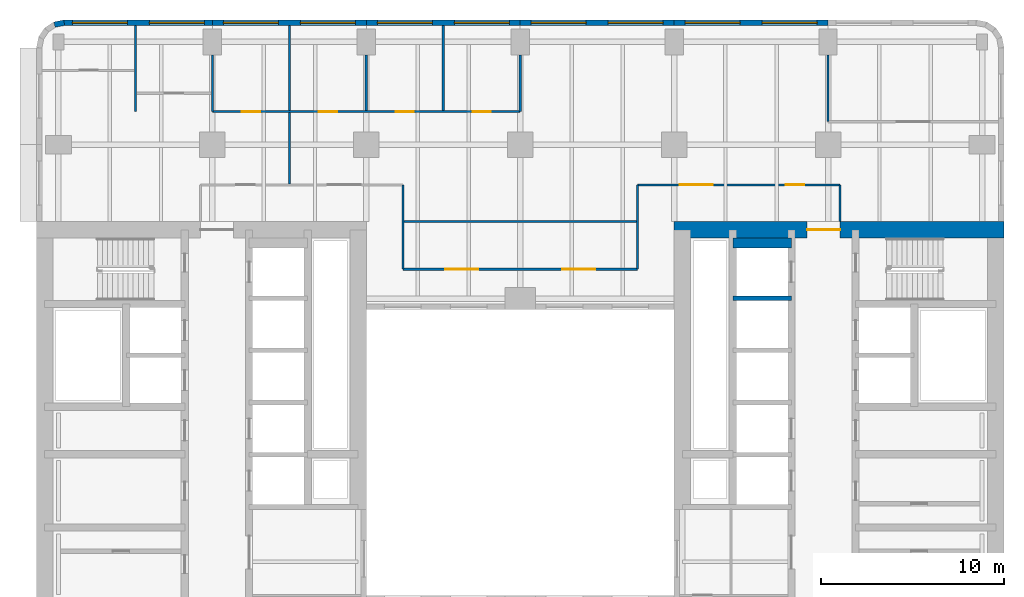
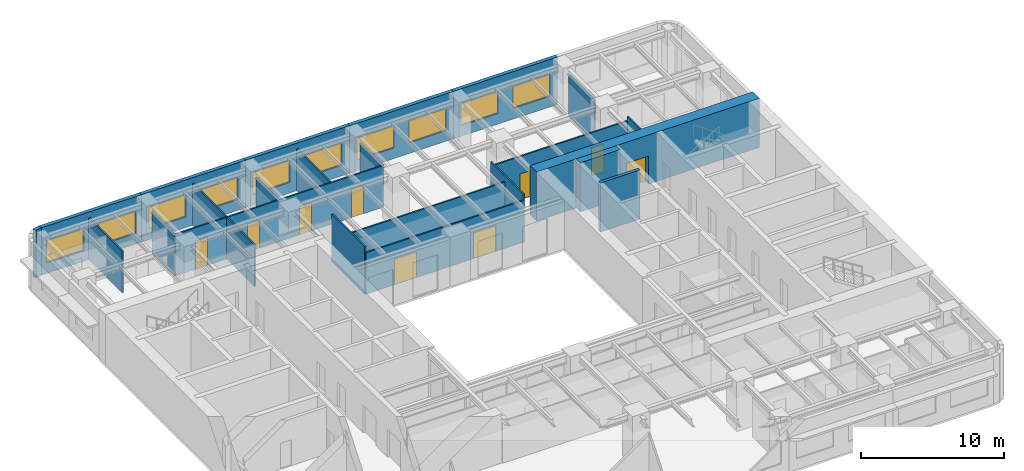
# One storey, part 7 of 11: 24 walls, 10 windows, 9 doors, 19 openings.
"""IFC4 building model written with IfcOpenShell, lengths in metres."""

from ifc_helpers import new_model, si_unit, direction, frame, frame_2d, origin, place, context, subcontext, project, spatial, rectangle, extrude, material, layer, layer_set, type_object, element, fill, save


model = new_model("IFC4")

# Units and contexts
model_context = context("Model", 3, precision=1e-05, world=origin(), true_north=direction((0.0, 1.0)))
body_context = subcontext(model_context, "Body", "Model", "MODEL_VIEW")
ifc_project = project(units=[si_unit("LENGTHUNIT", "METRE"), si_unit("AREAUNIT", "SQUARE_METRE"), si_unit("VOLUMEUNIT", "CUBIC_METRE"), si_unit("PLANEANGLEUNIT", "RADIAN"), si_unit("MASSUNIT", "GRAM", prefix="KILO")], contexts=[model_context])

# Site, building, storey
site_placement = place(None, origin())
site = spatial("IfcSite", under=ifc_project, at=site_placement, CompositionType="ELEMENT")
building_placement = place(site_placement, origin())
building = spatial("IfcBuilding", under=site, at=building_placement, Name="Claustro Exchange Tower", CompositionType="ELEMENT")
storey_placement = place(building_placement, frame((0.0, 0.0, 126.0)))
storey = spatial("IfcBuildingStorey", under=building, at=storey_placement, Name="L28", CompositionType="ELEMENT", Elevation=126.0)

# Wall, openings, doors
ifc_material_1 = material(Name="Laminated glass in aluminium frame", Category="aluminium")
ifc_layer_1 = layer(ifc_material_1, 0.1201171875)
ifc_layer_set_1 = layer_set([ifc_layer_1], Name="Laminated glass in aluminium frame")
wall_type_1 = type_object("IfcWallType", Name="P2 120 glazed partition", PredefinedType="PARTITIONING", material=ifc_layer_set_1)
wall_1_placement = place(storey_placement, frame((8.39990234375, 43.800048828125, 0.0), z_axis=(0.0, 0.0, 1.0), x_axis=(1.0, 0.0, 0.0)))
wall_1 = element("IfcWall", 1, at=wall_1_placement, inside=storey, type_object=wall_type_1, Name="Partition P2 L28", PredefinedType="PARTITIONING", context=body_context, shape_type="SweptSolid", body=[
    extrude(rectangle(XDim=16.800048828125, YDim=0.1201171875, at=frame_2d((8.39990234375, 0.0))), origin(), (0.0, 0.0, 1.0), 3.550048828125),
])
opening_1_placement = place(wall_1_placement, frame((1.60009765625, 0.0, 0.0)))
opening_1 = element("IfcOpeningElement", 2, at=opening_1_placement, cuts=wall_1, Name="Opening D7", PredefinedType="OPENING", context=body_context, shape_type="SweptSolid", body=[
    extrude(rectangle(XDim=1.0, YDim=2.39990234375, at=frame_2d((0.5, 1.199951171875))), frame((0.0, 0.070068359375, 0.0), z_axis=(0.0, -1.0, 0.0), x_axis=(1.0, 0.0, 0.0)), (0.0, 0.0, 1.0), 0.14013671875),
])
opening_2_placement = place(wall_1_placement, frame((5.800048828125, 0.0, 0.0)))
opening_2 = element("IfcOpeningElement", 3, at=opening_2_placement, cuts=wall_1, Name="Opening D7", PredefinedType="OPENING", context=body_context, shape_type="SweptSolid", body=[
    extrude(rectangle(XDim=1.0, YDim=2.39990234375, at=frame_2d((0.5, 1.199951171875))), frame((0.0, 0.070068359375, 0.0), z_axis=(0.0, -1.0, 0.0), x_axis=(1.0, 0.0, 0.0)), (0.0, 0.0, 1.0), 0.14013671875),
])
opening_3_placement = place(wall_1_placement, frame((10.0, 0.0, 0.0)))
opening_3 = element("IfcOpeningElement", 4, at=opening_3_placement, cuts=wall_1, Name="Opening D7", PredefinedType="OPENING", context=body_context, shape_type="SweptSolid", body=[
    extrude(rectangle(XDim=1.0, YDim=2.39990234375, at=frame_2d((0.5, 1.199951171875))), frame((0.0, 0.070068359375, 0.0), z_axis=(0.0, -1.0, 0.0), x_axis=(1.0, 0.0, 0.0)), (0.0, 0.0, 1.0), 0.14013671875),
])
opening_4_placement = place(wall_1_placement, frame((14.199951171875, 0.0, 0.0)))
opening_4 = element("IfcOpeningElement", 5, at=opening_4_placement, cuts=wall_1, Name="Opening D7", PredefinedType="OPENING", context=body_context, shape_type="SweptSolid", body=[
    extrude(rectangle(XDim=1.0, YDim=2.39990234375, at=frame_2d((0.5, 1.199951171875))), frame((0.0, 0.070068359375, 0.0), z_axis=(0.0, -1.0, 0.0), x_axis=(1.0, 0.0, 0.0)), (0.0, 0.0, 1.0), 0.14013671875),
])
ifc_material_2 = material(Name="Glass door in aluminium frame", Category="aluminium")
door_type_1 = type_object("IfcDoorType", Name="D7 1000 x 2400 glazed door", OperationType="SINGLE_SWING_LEFT", PredefinedType="DOOR", material=ifc_material_2)
door_1_placement = place(opening_1_placement, origin())
door_1 = element("IfcDoor", 6, at=door_1_placement, inside=storey, type_object=door_type_1, Name="Door D7 L28", OperationType="SINGLE_SWING_RIGHT", OverallHeight=2.39990234375, OverallWidth=1.0, PredefinedType="DOOR", context=body_context, shape_type="SweptSolid", body=[
    extrude(rectangle(XDim=1.0, YDim=2.39990234375, at=frame_2d((0.5, 1.199951171875))), frame((0.0, 0.02490234375, 0.0), z_axis=(0.0, -1.0, 0.0), x_axis=(1.0, 0.0, 0.0)), (0.0, 0.0, 1.0), 0.050048828125),
])
fill(opening_1, door_1)
door_2_placement = place(opening_2_placement, origin())
door_2 = element("IfcDoor", 7, at=door_2_placement, inside=storey, type_object=door_type_1, Name="Door D7 L28", OperationType="SINGLE_SWING_LEFT", OverallHeight=2.39990234375, OverallWidth=1.0, PredefinedType="DOOR", context=body_context, shape_type="SweptSolid", body=[
    extrude(rectangle(XDim=1.0, YDim=2.39990234375, at=frame_2d((0.5, 1.199951171875))), frame((0.0, 0.02490234375, 0.0), z_axis=(0.0, -1.0, 0.0), x_axis=(1.0, 0.0, 0.0)), (0.0, 0.0, 1.0), 0.050048828125),
])
fill(opening_2, door_2)
door_3_placement = place(opening_3_placement, origin())
door_3 = element("IfcDoor", 8, at=door_3_placement, inside=storey, type_object=door_type_1, Name="Door D7 L28", OperationType="SINGLE_SWING_LEFT", OverallHeight=2.39990234375, OverallWidth=1.0, PredefinedType="DOOR", context=body_context, shape_type="SweptSolid", body=[
    extrude(rectangle(XDim=1.0, YDim=2.39990234375, at=frame_2d((0.5, 1.199951171875))), frame((0.0, 0.02490234375, 0.0), z_axis=(0.0, -1.0, 0.0), x_axis=(1.0, 0.0, 0.0)), (0.0, 0.0, 1.0), 0.050048828125),
])
fill(opening_3, door_3)
door_4_placement = place(opening_4_placement, origin())
door_4 = element("IfcDoor", 9, at=door_4_placement, inside=storey, type_object=door_type_1, Name="Door D7 L28", OperationType="SINGLE_SWING_RIGHT", OverallHeight=2.39990234375, OverallWidth=1.0, PredefinedType="DOOR", context=body_context, shape_type="SweptSolid", body=[
    extrude(rectangle(XDim=1.0, YDim=2.39990234375, at=frame_2d((0.5, 1.199951171875))), frame((0.0, 0.02490234375, 0.0), z_axis=(0.0, -1.0, 0.0), x_axis=(1.0, 0.0, 0.0)), (0.0, 0.0, 1.0), 0.050048828125),
])
fill(opening_4, door_4)

# Walls
wall_2_placement = place(storey_placement, frame((4.199951171875, 43.800048828125, 0.0), z_axis=(0.0, 0.0, 1.0), x_axis=(0.0, 1.0, 0.0)))
element("IfcWall", 10, at=wall_2_placement, inside=storey, type_object=wall_type_1, Name="Partition P2 L28", PredefinedType="PARTITIONING", context=body_context, shape_type="SweptSolid", body=[
    extrude(rectangle(XDim=4.701904296875, YDim=0.1201171875, at=frame_2d((2.35107421875, 0.0))), origin(), (0.0, 0.0, 1.0), 3.56005859375),
])
wall_3_placement = place(storey_placement, frame((8.39990234375, 43.800048828125, 0.0), z_axis=(0.0, 0.0, 1.0), x_axis=(0.0, 1.0, 0.0)))
element("IfcWall", 11, at=wall_3_placement, inside=storey, type_object=wall_type_1, Name="Partition P2 L28", PredefinedType="PARTITIONING", context=body_context, shape_type="SweptSolid", body=[
    extrude(rectangle(XDim=3.100830078125, YDim=0.1201171875, at=frame_2d((1.55029296875, 0.0))), origin(), (0.0, 0.0, 1.0), 3.550048828125),
])
wall_4_placement = place(storey_placement, frame((12.60009765625, 43.85791015625, 0.0), z_axis=(0.0, 0.0, 1.0), x_axis=(0.0, 1.0, 0.0)))
element("IfcWall", 12, at=wall_4_placement, inside=storey, type_object=wall_type_1, Name="Partition P2 L28", PredefinedType="PARTITIONING", context=body_context, shape_type="SweptSolid", body=[
    extrude(rectangle(XDim=4.64404296875, YDim=0.1201171875, at=frame_2d((2.322021484375, 0.0))), origin(), (0.0, 0.0, 1.0), 3.56005859375),
])
wall_5_placement = place(storey_placement, frame((16.800048828125, 43.85791015625, 0.0), z_axis=(0.0, 0.0, 1.0), x_axis=(0.0, 1.0, 0.0)))
element("IfcWall", 13, at=wall_5_placement, inside=storey, type_object=wall_type_1, Name="Partition P2 L28", PredefinedType="PARTITIONING", context=body_context, shape_type="SweptSolid", body=[
    extrude(rectangle(XDim=3.04296875, YDim=0.1201171875, at=frame_2d((1.521484375, 0.0))), origin(), (0.0, 0.0, 1.0), 3.550048828125),
])
wall_6_placement = place(storey_placement, frame((21.0, 43.85791015625, 0.0), z_axis=(0.0, 0.0, 1.0), x_axis=(0.0, 1.0, 0.0)))
element("IfcWall", 14, at=wall_6_placement, inside=storey, type_object=wall_type_1, Name="Partition P2 L28", PredefinedType="PARTITIONING", context=body_context, shape_type="SweptSolid", body=[
    extrude(rectangle(XDim=4.64404296875, YDim=0.1201171875, at=frame_2d((2.322021484375, 0.0))), origin(), (0.0, 0.0, 1.0), 3.56005859375),
])
wall_7_placement = place(storey_placement, frame((25.199951171875, 43.800048828125, 0.0), z_axis=(0.0, 0.0, 1.0), x_axis=(0.0, 1.0, 0.0)))
element("IfcWall", 15, at=wall_7_placement, inside=storey, type_object=wall_type_1, Name="Partition P2 L28", PredefinedType="PARTITIONING", context=body_context, shape_type="SweptSolid", body=[
    extrude(rectangle(XDim=3.100830078125, YDim=0.1201171875, at=frame_2d((1.55029296875, 0.0))), origin(), (0.0, 0.0, 1.0), 3.550048828125),
])
wall_8_placement = place(storey_placement, frame((42.0, 43.25, 0.0), z_axis=(0.0, 0.0, 1.0), x_axis=(0.0, 1.0, 0.0)))
element("IfcWall", 16, at=wall_8_placement, inside=storey, type_object=wall_type_1, Name="Partition P2 L28", PredefinedType="PARTITIONING", context=body_context, shape_type="SweptSolid", body=[
    extrude(rectangle(XDim=3.65087890625, YDim=0.1201171875, at=frame_2d((1.825439453125, 0.0))), origin(), (0.0, 0.0, 1.0), 3.550048828125),
])
wall_9_placement = place(storey_placement, frame((12.60009765625, 39.85791015625, 0.0), z_axis=(0.0, 0.0, 1.0), x_axis=(0.0, 1.0, 0.0)))
element("IfcWall", 17, at=wall_9_placement, inside=storey, type_object=wall_type_1, Name="Partition P2 L28", PredefinedType="PARTITIONING", context=body_context, shape_type="SweptSolid", body=[
    extrude(rectangle(XDim=3.884033203125, YDim=0.1201171875, at=frame_2d((1.94189453125, 0.0))), origin(), (0.0, 0.0, 1.0), 3.550048828125),
])

# Wall, openings, doors
wall_10_placement = place(storey_placement, frame((31.60009765625, 39.800048828125, 0.0), z_axis=(0.0, 0.0, 1.0), x_axis=(1.0, 0.0, 0.0)))
wall_10 = element("IfcWall", 18, at=wall_10_placement, inside=storey, type_object=wall_type_1, Name="Partition P2 L28", PredefinedType="PARTITIONING", context=body_context, shape_type="SweptSolid", body=[
    extrude(rectangle(XDim=11.0498046875, YDim=0.1201171875, at=frame_2d((5.52490234375, 0.0))), origin(), (0.0, 0.0, 1.0), 3.68994140625),
])
opening_5_placement = place(wall_10_placement, frame((2.300048828125, 0.0, 0.0)))
opening_5 = element("IfcOpeningElement", 19, at=opening_5_placement, cuts=wall_10, Name="Opening D2", PredefinedType="OPENING", context=body_context, shape_type="SweptSolid", body=[
    extrude(rectangle(XDim=1.800048828125, YDim=2.199951171875, at=frame_2d((0.89990234375, 1.10009765625))), frame((0.0, 0.070068359375, 0.0), z_axis=(0.0, -1.0, 0.0), x_axis=(1.0, 0.0, 0.0)), (0.0, 0.0, 1.0), 0.14013671875),
])
opening_6_placement = place(wall_10_placement, frame((8.10009765625, 0.0, 0.0)))
opening_6 = element("IfcOpeningElement", 20, at=opening_6_placement, cuts=wall_10, Name="Opening D7", PredefinedType="OPENING", context=body_context, shape_type="SweptSolid", body=[
    extrude(rectangle(XDim=1.0, YDim=2.39990234375, at=frame_2d((0.5, 1.199951171875))), frame((0.0, 0.070068359375, 0.0), z_axis=(0.0, -1.0, 0.0), x_axis=(1.0, 0.0, 0.0)), (0.0, 0.0, 1.0), 0.14013671875),
])
ifc_material_3 = material(Name="Timber door, oak veneer", Category="wood")
door_type_2 = type_object("IfcDoorType", Name="D2 1800 x 2200 double door", OperationType="DOUBLE_DOOR_SINGLE_SWING", PredefinedType="DOOR", material=ifc_material_3)
door_5_placement = place(opening_5_placement, origin())
door_5 = element("IfcDoor", 21, at=door_5_placement, inside=storey, type_object=door_type_2, Name="Double door D2 L28", OperationType="DOUBLE_DOOR_SINGLE_SWING", OverallHeight=2.199951171875, OverallWidth=1.800048828125, PredefinedType="DOOR", context=body_context, shape_type="SweptSolid", body=[
    extrude(rectangle(XDim=1.800048828125, YDim=2.199951171875, at=frame_2d((0.89990234375, 1.10009765625))), frame((0.0, 0.02490234375, 0.0), z_axis=(0.0, -1.0, 0.0), x_axis=(1.0, 0.0, 0.0)), (0.0, 0.0, 1.0), 0.050048828125),
])
fill(opening_5, door_5)
door_6_placement = place(opening_6_placement, origin())
door_6 = element("IfcDoor", 22, at=door_6_placement, inside=storey, type_object=door_type_1, Name="Door D7 L28", OperationType="SINGLE_SWING_RIGHT", OverallHeight=2.39990234375, OverallWidth=1.0, PredefinedType="DOOR", context=body_context, shape_type="SweptSolid", body=[
    extrude(rectangle(XDim=1.0, YDim=2.39990234375, at=frame_2d((0.5, 1.199951171875))), frame((0.0, 0.02490234375, 0.0), z_axis=(0.0, -1.0, 0.0), x_axis=(1.0, 0.0, 0.0)), (0.0, 0.0, 1.0), 0.050048828125),
])
fill(opening_6, door_6)

# Walls
wall_11_placement = place(storey_placement, frame((42.64990234375, 37.800048828125, 0.0), z_axis=(0.0, 0.0, 1.0), x_axis=(0.0, 1.0, 0.0)))
element("IfcWall", 23, at=wall_11_placement, inside=storey, type_object=wall_type_1, Name="Partition P2 L28", PredefinedType="PARTITIONING", context=body_context, shape_type="SweptSolid", body=[
    extrude(rectangle(XDim=2.0, YDim=0.1201171875, at=frame_2d((1.0, 0.0))), origin(), (0.0, 0.0, 1.0), 4.050048828125),
])
for number, where, z_axis, x_axis, name in (
    (24, (18.800048828125, 35.199951171875, 0.0), (0.0, 0.0, 1.0), (0.0, 1.0, 0.0), "Partition P2 L28"),
    (25, (31.60009765625, 35.199951171875, 0.0), (0.0, 0.0, 1.0), (0.0, 1.0, 0.0), "Partition P2 L28"),
):
    element("IfcWall", number, at=place(storey_placement, frame(where, z_axis=z_axis, x_axis=x_axis)), inside=storey, type_object=wall_type_1, Name=name, PredefinedType="PARTITIONING", context=body_context, shape_type="SweptSolid", body=[
        extrude(rectangle(XDim=4.60009765625, YDim=0.1201171875, at=frame_2d((2.300048828125, 0.0))), origin(), (0.0, 0.0, 1.0), 4.050048828125),
    ])

# Wall, openings, doors
wall_12_placement = place(storey_placement, frame((18.800048828125, 35.199951171875, 0.0), z_axis=(0.0, 0.0, 1.0), x_axis=(1.0, 0.0, 0.0)))
wall_12 = element("IfcWall", 26, at=wall_12_placement, inside=storey, type_object=wall_type_1, Name="Partition P2 L28", PredefinedType="PARTITIONING", context=body_context, shape_type="SweptSolid", body=[
    extrude(rectangle(XDim=12.800048828125, YDim=0.1201171875, at=frame_2d((6.39990234375, 0.0))), origin(), (0.0, 0.0, 1.0), 3.550048828125),
])
opening_7_placement = place(wall_12_placement, frame((2.300048828125, 0.0, 0.0)))
opening_7 = element("IfcOpeningElement", 27, at=opening_7_placement, cuts=wall_12, Name="Opening D2", PredefinedType="OPENING", context=body_context, shape_type="SweptSolid", body=[
    extrude(rectangle(XDim=1.800048828125, YDim=2.199951171875, at=frame_2d((0.89990234375, 1.10009765625))), frame((0.0, 0.070068359375, 0.0), z_axis=(0.0, -1.0, 0.0), x_axis=(1.0, 0.0, 0.0)), (0.0, 0.0, 1.0), 0.14013671875),
])
opening_8_placement = place(wall_12_placement, frame((8.699951171875, 0.0, 0.0)))
opening_8 = element("IfcOpeningElement", 28, at=opening_8_placement, cuts=wall_12, Name="Opening D2", PredefinedType="OPENING", context=body_context, shape_type="SweptSolid", body=[
    extrude(rectangle(XDim=1.800048828125, YDim=2.199951171875, at=frame_2d((0.89990234375, 1.10009765625))), frame((0.0, 0.070068359375, 0.0), z_axis=(0.0, -1.0, 0.0), x_axis=(1.0, 0.0, 0.0)), (0.0, 0.0, 1.0), 0.14013671875),
])
door_7_placement = place(opening_7_placement, origin())
door_7 = element("IfcDoor", 29, at=door_7_placement, inside=storey, type_object=door_type_2, Name="Double door D2 L28", OperationType="DOUBLE_DOOR_SINGLE_SWING", OverallHeight=2.199951171875, OverallWidth=1.800048828125, PredefinedType="DOOR", context=body_context, shape_type="SweptSolid", body=[
    extrude(rectangle(XDim=1.800048828125, YDim=2.199951171875, at=frame_2d((0.89990234375, 1.10009765625))), frame((0.0, 0.02490234375, 0.0), z_axis=(0.0, -1.0, 0.0), x_axis=(1.0, 0.0, 0.0)), (0.0, 0.0, 1.0), 0.050048828125),
])
fill(opening_7, door_7)
door_8_placement = place(opening_8_placement, origin())
door_8 = element("IfcDoor", 30, at=door_8_placement, inside=storey, type_object=door_type_2, Name="Double door D2 L28", OperationType="DOUBLE_DOOR_SINGLE_SWING", OverallHeight=2.199951171875, OverallWidth=1.800048828125, PredefinedType="DOOR", context=body_context, shape_type="SweptSolid", body=[
    extrude(rectangle(XDim=1.800048828125, YDim=2.199951171875, at=frame_2d((0.89990234375, 1.10009765625))), frame((0.0, 0.02490234375, 0.0), z_axis=(0.0, -1.0, 0.0), x_axis=(1.0, 0.0, 0.0)), (0.0, 0.0, 1.0), 0.050048828125),
])
fill(opening_8, door_8)

# Walls
wall_13_placement = place(storey_placement, frame((18.85791015625, 37.800048828125, 0.0), z_axis=(0.0, 0.0, 1.0), x_axis=(1.0, 0.0, 0.0)))
element("IfcWall", 31, at=wall_13_placement, inside=storey, type_object=wall_type_1, Name="Partition P2 L28", PredefinedType="PARTITIONING", context=body_context, shape_type="SweptSolid", body=[
    extrude(rectangle(XDim=12.68408203125, YDim=0.1201171875, at=frame_2d((6.342041015625, 0.0))), origin(), (0.0, 0.0, 1.0), 3.550048828125),
])
ifc_material_4 = material(Name="Concrete HA-40 (C40/50), precast, white cement, acid-etched", Category="concrete")
ifc_layer_2 = layer(ifc_material_4, 0.300048828125)
ifc_layer_set_2 = layer_set([ifc_layer_2], Name="Concrete HA-40 (C40/50), precast, white cement, acid-etched")
wall_type_2 = type_object("IfcWallType", Name="PC1 300 precast concrete pier panel", PredefinedType="SOLIDWALL", material=ifc_layer_set_2)
wall_14_placement = place(storey_placement, frame((-0.215576171875, 48.54443359375, 0.0), z_axis=(0.0, 0.0, 1.0), x_axis=(0.980788534345, 0.195073962632, 0.0)))
element("IfcWall", 32, at=wall_14_placement, inside=storey, type_object=wall_type_2, Name="Precast pier panel PC1 L28", PredefinedType="SOLIDWALL", context=body_context, shape_type="SweptSolid", body=[
    extrude(rectangle(XDim=0.540771484375, YDim=0.300048828125, at=frame_2d((0.2705078125, 0.0))), origin(), (0.0, 0.0, 1.0), 4.050048828125),
])

# Wall, openings, windows
wall_15_placement = place(storey_placement, frame((0.314697265625, 48.64990234375, 0.0), z_axis=(0.0, 0.0, 1.0), x_axis=(1.0, 0.0, 0.0)))
wall_15 = element("IfcWall", 33, at=wall_15_placement, inside=storey, type_object=wall_type_2, Name="Precast pier panel PC1 L28", PredefinedType="SOLIDWALL", context=body_context, shape_type="SweptSolid", body=[
    extrude(rectangle(XDim=8.085205078125, YDim=0.300048828125, at=frame_2d((4.04248046875, 0.0))), origin(), (0.0, 0.0, 1.0), 4.050048828125),
])
opening_9_placement = place(wall_15_placement, frame((0.442626953125, 0.0, 0.89990234375)))
opening_9 = element("IfcOpeningElement", 34, at=opening_9_placement, cuts=wall_15, Name="Opening W1", PredefinedType="OPENING", context=body_context, shape_type="SweptSolid", body=[
    extrude(rectangle(XDim=3.0, YDim=1.89990234375, at=frame_2d((1.5, 0.949951171875))), frame((0.0, 0.159912109375, 0.0), z_axis=(0.0, -1.0, 0.0), x_axis=(1.0, 0.0, 0.0)), (0.0, 0.0, 1.0), 0.320068359375),
])
opening_10_placement = place(wall_15_placement, frame((4.642578125, 0.0, 0.89990234375)))
opening_10 = element("IfcOpeningElement", 35, at=opening_10_placement, cuts=wall_15, Name="Opening W1", PredefinedType="OPENING", context=body_context, shape_type="SweptSolid", body=[
    extrude(rectangle(XDim=3.0, YDim=1.89990234375, at=frame_2d((1.5, 0.949951171875))), frame((0.0, 0.159912109375, 0.0), z_axis=(0.0, -1.0, 0.0), x_axis=(1.0, 0.0, 0.0)), (0.0, 0.0, 1.0), 0.320068359375),
])
ifc_material_5 = material(Name="Aluminium frame, clear double glazing", Category="aluminium")
window_type = type_object("IfcWindowType", Name="W1 3000 x 1900 window", PartitioningType="SINGLE_PANEL", PredefinedType="WINDOW", material=ifc_material_5)
window_1_placement = place(opening_9_placement, origin())
window_1 = element("IfcWindow", 36, at=window_1_placement, inside=storey, type_object=window_type, Name="Window W1 L28", OverallHeight=1.89990234375, OverallWidth=3.0, PartitioningType="SINGLE_PANEL", PredefinedType="WINDOW", context=body_context, shape_type="SweptSolid", body=[
    extrude(rectangle(XDim=3.0, YDim=1.89990234375, at=frame_2d((1.5, 0.949951171875))), frame((0.0, 0.030029296875, 0.0), z_axis=(0.0, -1.0, 0.0), x_axis=(1.0, 0.0, 0.0)), (0.0, 0.0, 1.0), 0.06005859375),
])
fill(opening_9, window_1)
window_2_placement = place(opening_10_placement, origin())
window_2 = element("IfcWindow", 37, at=window_2_placement, inside=storey, type_object=window_type, Name="Window W1 L28", OverallHeight=1.89990234375, OverallWidth=3.0, PartitioningType="SINGLE_PANEL", PredefinedType="WINDOW", context=body_context, shape_type="SweptSolid", body=[
    extrude(rectangle(XDim=3.0, YDim=1.89990234375, at=frame_2d((1.5, 0.949951171875))), frame((0.0, 0.030029296875, 0.0), z_axis=(0.0, -1.0, 0.0), x_axis=(1.0, 0.0, 0.0)), (0.0, 0.0, 1.0), 0.06005859375),
])
fill(opening_10, window_2)

wall_16_placement = place(storey_placement, frame((8.39990234375, 48.64990234375, 0.0), z_axis=(0.0, 0.0, 1.0), x_axis=(1.0, 0.0, 0.0)))
wall_16 = element("IfcWall", 38, at=wall_16_placement, inside=storey, type_object=wall_type_2, Name="Precast pier panel PC1 L28", PredefinedType="SOLIDWALL", context=body_context, shape_type="SweptSolid", body=[
    extrude(rectangle(XDim=8.400146484375, YDim=0.300048828125, at=frame_2d((4.2001953125, 0.0))), origin(), (0.0, 0.0, 1.0), 4.050048828125),
])
opening_11_placement = place(wall_16_placement, frame((0.60009765625, 0.0, 0.89990234375)))
opening_11 = element("IfcOpeningElement", 39, at=opening_11_placement, cuts=wall_16, Name="Opening W1", PredefinedType="OPENING", context=body_context, shape_type="SweptSolid", body=[
    extrude(rectangle(XDim=3.0, YDim=1.89990234375, at=frame_2d((1.5, 0.949951171875))), frame((0.0, 0.159912109375, 0.0), z_axis=(0.0, -1.0, 0.0), x_axis=(1.0, 0.0, 0.0)), (0.0, 0.0, 1.0), 0.320068359375),
])
opening_12_placement = place(wall_16_placement, frame((4.800048828125, 0.0, 0.89990234375)))
opening_12 = element("IfcOpeningElement", 40, at=opening_12_placement, cuts=wall_16, Name="Opening W1", PredefinedType="OPENING", context=body_context, shape_type="SweptSolid", body=[
    extrude(rectangle(XDim=3.0, YDim=1.89990234375, at=frame_2d((1.5, 0.949951171875))), frame((0.0, 0.159912109375, 0.0), z_axis=(0.0, -1.0, 0.0), x_axis=(1.0, 0.0, 0.0)), (0.0, 0.0, 1.0), 0.320068359375),
])
window_3_placement = place(opening_11_placement, origin())
window_3 = element("IfcWindow", 41, at=window_3_placement, inside=storey, type_object=window_type, Name="Window W1 L28", OverallHeight=1.89990234375, OverallWidth=3.0, PartitioningType="SINGLE_PANEL", PredefinedType="WINDOW", context=body_context, shape_type="SweptSolid", body=[
    extrude(rectangle(XDim=3.0, YDim=1.89990234375, at=frame_2d((1.5, 0.949951171875))), frame((0.0, 0.030029296875, 0.0), z_axis=(0.0, -1.0, 0.0), x_axis=(1.0, 0.0, 0.0)), (0.0, 0.0, 1.0), 0.06005859375),
])
fill(opening_11, window_3)
window_4_placement = place(opening_12_placement, origin())
window_4 = element("IfcWindow", 42, at=window_4_placement, inside=storey, type_object=window_type, Name="Window W1 L28", OverallHeight=1.89990234375, OverallWidth=3.0, PartitioningType="SINGLE_PANEL", PredefinedType="WINDOW", context=body_context, shape_type="SweptSolid", body=[
    extrude(rectangle(XDim=3.0, YDim=1.89990234375, at=frame_2d((1.5, 0.949951171875))), frame((0.0, 0.030029296875, 0.0), z_axis=(0.0, -1.0, 0.0), x_axis=(1.0, 0.0, 0.0)), (0.0, 0.0, 1.0), 0.06005859375),
])
fill(opening_12, window_4)

wall_17_placement = place(storey_placement, frame((16.800048828125, 48.64990234375, 0.0), z_axis=(0.0, 0.0, 1.0), x_axis=(1.0, 0.0, 0.0)))
wall_17 = element("IfcWall", 43, at=wall_17_placement, inside=storey, type_object=wall_type_2, Name="Precast pier panel PC1 L28", PredefinedType="SOLIDWALL", context=body_context, shape_type="SweptSolid", body=[
    extrude(rectangle(XDim=8.39990234375, YDim=0.300048828125, at=frame_2d((4.199951171875, 0.0))), origin(), (0.0, 0.0, 1.0), 4.050048828125),
])
opening_13_placement = place(wall_17_placement, frame((0.60009765625, 0.0, 0.89990234375)))
opening_13 = element("IfcOpeningElement", 44, at=opening_13_placement, cuts=wall_17, Name="Opening W1", PredefinedType="OPENING", context=body_context, shape_type="SweptSolid", body=[
    extrude(rectangle(XDim=3.0, YDim=1.89990234375, at=frame_2d((1.5, 0.949951171875))), frame((0.0, 0.159912109375, 0.0), z_axis=(0.0, -1.0, 0.0), x_axis=(1.0, 0.0, 0.0)), (0.0, 0.0, 1.0), 0.320068359375),
])
opening_14_placement = place(wall_17_placement, frame((4.800048828125, 0.0, 0.89990234375)))
opening_14 = element("IfcOpeningElement", 45, at=opening_14_placement, cuts=wall_17, Name="Opening W1", PredefinedType="OPENING", context=body_context, shape_type="SweptSolid", body=[
    extrude(rectangle(XDim=3.0, YDim=1.89990234375, at=frame_2d((1.5, 0.949951171875))), frame((0.0, 0.159912109375, 0.0), z_axis=(0.0, -1.0, 0.0), x_axis=(1.0, 0.0, 0.0)), (0.0, 0.0, 1.0), 0.320068359375),
])
window_5_placement = place(opening_13_placement, origin())
window_5 = element("IfcWindow", 46, at=window_5_placement, inside=storey, type_object=window_type, Name="Window W1 L28", OverallHeight=1.89990234375, OverallWidth=3.0, PartitioningType="SINGLE_PANEL", PredefinedType="WINDOW", context=body_context, shape_type="SweptSolid", body=[
    extrude(rectangle(XDim=3.0, YDim=1.89990234375, at=frame_2d((1.5, 0.949951171875))), frame((0.0, 0.030029296875, 0.0), z_axis=(0.0, -1.0, 0.0), x_axis=(1.0, 0.0, 0.0)), (0.0, 0.0, 1.0), 0.06005859375),
])
fill(opening_13, window_5)
window_6_placement = place(opening_14_placement, origin())
window_6 = element("IfcWindow", 47, at=window_6_placement, inside=storey, type_object=window_type, Name="Window W1 L28", OverallHeight=1.89990234375, OverallWidth=3.0, PartitioningType="SINGLE_PANEL", PredefinedType="WINDOW", context=body_context, shape_type="SweptSolid", body=[
    extrude(rectangle(XDim=3.0, YDim=1.89990234375, at=frame_2d((1.5, 0.949951171875))), frame((0.0, 0.030029296875, 0.0), z_axis=(0.0, -1.0, 0.0), x_axis=(1.0, 0.0, 0.0)), (0.0, 0.0, 1.0), 0.06005859375),
])
fill(opening_14, window_6)

wall_18_placement = place(storey_placement, frame((25.199951171875, 48.64990234375, 0.0), z_axis=(0.0, 0.0, 1.0), x_axis=(1.0, 0.0, 0.0)))
wall_18 = element("IfcWall", 48, at=wall_18_placement, inside=storey, type_object=wall_type_2, Name="Precast pier panel PC1 L28", PredefinedType="SOLIDWALL", context=body_context, shape_type="SweptSolid", body=[
    extrude(rectangle(XDim=8.400146484375, YDim=0.300048828125, at=frame_2d((4.2001953125, 0.0))), origin(), (0.0, 0.0, 1.0), 4.050048828125),
])
opening_15_placement = place(wall_18_placement, frame((0.60009765625, 0.0, 0.89990234375)))
opening_15 = element("IfcOpeningElement", 49, at=opening_15_placement, cuts=wall_18, Name="Opening W1", PredefinedType="OPENING", context=body_context, shape_type="SweptSolid", body=[
    extrude(rectangle(XDim=3.0, YDim=1.89990234375, at=frame_2d((1.5, 0.949951171875))), frame((0.0, 0.159912109375, 0.0), z_axis=(0.0, -1.0, 0.0), x_axis=(1.0, 0.0, 0.0)), (0.0, 0.0, 1.0), 0.320068359375),
])
opening_16_placement = place(wall_18_placement, frame((4.800048828125, 0.0, 0.89990234375)))
opening_16 = element("IfcOpeningElement", 50, at=opening_16_placement, cuts=wall_18, Name="Opening W1", PredefinedType="OPENING", context=body_context, shape_type="SweptSolid", body=[
    extrude(rectangle(XDim=3.0, YDim=1.89990234375, at=frame_2d((1.5, 0.949951171875))), frame((0.0, 0.159912109375, 0.0), z_axis=(0.0, -1.0, 0.0), x_axis=(1.0, 0.0, 0.0)), (0.0, 0.0, 1.0), 0.320068359375),
])
window_7_placement = place(opening_15_placement, origin())
window_7 = element("IfcWindow", 51, at=window_7_placement, inside=storey, type_object=window_type, Name="Window W1 L28", OverallHeight=1.89990234375, OverallWidth=3.0, PartitioningType="SINGLE_PANEL", PredefinedType="WINDOW", context=body_context, shape_type="SweptSolid", body=[
    extrude(rectangle(XDim=3.0, YDim=1.89990234375, at=frame_2d((1.5, 0.949951171875))), frame((0.0, 0.030029296875, 0.0), z_axis=(0.0, -1.0, 0.0), x_axis=(1.0, 0.0, 0.0)), (0.0, 0.0, 1.0), 0.06005859375),
])
fill(opening_15, window_7)
window_8_placement = place(opening_16_placement, origin())
window_8 = element("IfcWindow", 52, at=window_8_placement, inside=storey, type_object=window_type, Name="Window W1 L28", OverallHeight=1.89990234375, OverallWidth=3.0, PartitioningType="SINGLE_PANEL", PredefinedType="WINDOW", context=body_context, shape_type="SweptSolid", body=[
    extrude(rectangle(XDim=3.0, YDim=1.89990234375, at=frame_2d((1.5, 0.949951171875))), frame((0.0, 0.030029296875, 0.0), z_axis=(0.0, -1.0, 0.0), x_axis=(1.0, 0.0, 0.0)), (0.0, 0.0, 1.0), 0.06005859375),
])
fill(opening_16, window_8)

wall_19_placement = place(storey_placement, frame((33.60009765625, 48.64990234375, 0.0), z_axis=(0.0, 0.0, 1.0), x_axis=(1.0, 0.0, 0.0)))
wall_19 = element("IfcWall", 53, at=wall_19_placement, inside=storey, type_object=wall_type_2, Name="Precast pier panel PC1 L28", PredefinedType="SOLIDWALL", context=body_context, shape_type="SweptSolid", body=[
    extrude(rectangle(XDim=8.39990234375, YDim=0.300048828125, at=frame_2d((4.199951171875, 0.0))), origin(), (0.0, 0.0, 1.0), 4.050048828125),
])
opening_17_placement = place(wall_19_placement, frame((0.60009765625, 0.0, 0.89990234375)))
opening_17 = element("IfcOpeningElement", 54, at=opening_17_placement, cuts=wall_19, Name="Opening W1", PredefinedType="OPENING", context=body_context, shape_type="SweptSolid", body=[
    extrude(rectangle(XDim=3.0, YDim=1.89990234375, at=frame_2d((1.5, 0.949951171875))), frame((0.0, 0.159912109375, 0.0), z_axis=(0.0, -1.0, 0.0), x_axis=(1.0, 0.0, 0.0)), (0.0, 0.0, 1.0), 0.320068359375),
])
opening_18_placement = place(wall_19_placement, frame((4.800048828125, 0.0, 0.89990234375)))
opening_18 = element("IfcOpeningElement", 55, at=opening_18_placement, cuts=wall_19, Name="Opening W1", PredefinedType="OPENING", context=body_context, shape_type="SweptSolid", body=[
    extrude(rectangle(XDim=3.0, YDim=1.89990234375, at=frame_2d((1.5, 0.949951171875))), frame((0.0, 0.159912109375, 0.0), z_axis=(0.0, -1.0, 0.0), x_axis=(1.0, 0.0, 0.0)), (0.0, 0.0, 1.0), 0.320068359375),
])
window_9_placement = place(opening_17_placement, origin())
window_9 = element("IfcWindow", 56, at=window_9_placement, inside=storey, type_object=window_type, Name="Window W1 L28", OverallHeight=1.89990234375, OverallWidth=3.0, PartitioningType="SINGLE_PANEL", PredefinedType="WINDOW", context=body_context, shape_type="SweptSolid", body=[
    extrude(rectangle(XDim=3.0, YDim=1.89990234375, at=frame_2d((1.5, 0.949951171875))), frame((0.0, 0.030029296875, 0.0), z_axis=(0.0, -1.0, 0.0), x_axis=(1.0, 0.0, 0.0)), (0.0, 0.0, 1.0), 0.06005859375),
])
fill(opening_17, window_9)
window_10_placement = place(opening_18_placement, origin())
window_10 = element("IfcWindow", 57, at=window_10_placement, inside=storey, type_object=window_type, Name="Window W1 L28", OverallHeight=1.89990234375, OverallWidth=3.0, PartitioningType="SINGLE_PANEL", PredefinedType="WINDOW", context=body_context, shape_type="SweptSolid", body=[
    extrude(rectangle(XDim=3.0, YDim=1.89990234375, at=frame_2d((1.5, 0.949951171875))), frame((0.0, 0.030029296875, 0.0), z_axis=(0.0, -1.0, 0.0), x_axis=(1.0, 0.0, 0.0)), (0.0, 0.0, 1.0), 0.06005859375),
])
fill(opening_18, window_10)

# Wall, opening, door
ifc_material_6 = material(Name="Concrete HA-70 (C70/85)", Category="concrete")
ifc_layer_3 = layer(ifc_material_6, 0.89990234375)
ifc_layer_set_3 = layer_set([ifc_layer_3], Name="Concrete HA-70 (C70/85)")
wall_type_3 = type_object("IfcWallType", Name="SW1 900 core shear wall", PredefinedType="SHEAR", material=ifc_layer_set_3)
wall_20_placement = place(storey_placement, frame((33.60009765625, 37.35009765625, 0.0), z_axis=(0.0, 0.0, 1.0), x_axis=(1.0, 0.0, 0.0)))
wall_20 = element("IfcWall", 58, at=wall_20_placement, inside=storey, type_object=wall_type_3, Name="Core wall SW1 E core N face L28", PredefinedType="SHEAR", context=body_context, shape_type="SweptSolid", body=[
    extrude(rectangle(XDim=18.0, YDim=0.89990234375, at=frame_2d((9.0, 0.0))), origin(), (0.0, 0.0, 1.0), 4.199951171875),
])
opening_19_placement = place(wall_20_placement, frame((7.25, 0.0, 0.0)))
opening_19 = element("IfcOpeningElement", 59, at=opening_19_placement, cuts=wall_20, Name="Opening D3", PredefinedType="OPENING", context=body_context, shape_type="SweptSolid", body=[
    extrude(rectangle(XDim=1.800048828125, YDim=2.39990234375, at=frame_2d((0.89990234375, 1.199951171875))), frame((0.0, 0.4599609375, 0.0), z_axis=(0.0, -1.0, 0.0), x_axis=(1.0, 0.0, 0.0)), (0.0, 0.0, 1.0), 0.919921875),
])
ifc_material_7 = material(Name="Steel fire door, painted", Category="steel")
door_type_3 = type_object("IfcDoorType", Name="D3 1800 x 2400 fire-rated lobby double door", OperationType="DOUBLE_DOOR_SINGLE_SWING", PredefinedType="DOOR", material=ifc_material_7)
door_9_placement = place(opening_19_placement, frame((1.800048828125, 0.0, 0.0), z_axis=(0.0, 0.0, 1.0), x_axis=(-1.0, 0.0, 0.0)))
door_9 = element("IfcDoor", 60, at=door_9_placement, inside=storey, type_object=door_type_3, Name="Lift lobby door D3 L28", OperationType="DOUBLE_DOOR_SINGLE_SWING", OverallHeight=2.39990234375, OverallWidth=1.800048828125, PredefinedType="DOOR", context=body_context, shape_type="SweptSolid", body=[
    extrude(rectangle(XDim=1.800048828125, YDim=2.39990234375, at=frame_2d((0.89990234375, 1.199951171875))), frame((0.0, 0.02490234375, 0.0), z_axis=(0.0, -1.0, 0.0), x_axis=(1.0, 0.0, 0.0)), (0.0, 0.0, 1.0), 0.050048828125),
])
fill(opening_19, door_9)

# Walls
ifc_material_8 = material(Name="Concrete HA-50 (C50/60)", Category="concrete")
ifc_layer_4 = layer(ifc_material_8, 0.25)
ifc_layer_set_4 = layer_set([ifc_layer_4], Name="Concrete HA-50 (C50/60)")
wall_type_4 = type_object("IfcWallType", Name="SW5 250 lift shaft divider wall", PredefinedType="SHEAR", material=ifc_layer_set_4)
wall_21_placement = place(storey_placement, frame((40.0, 33.625, 0.0), z_axis=(0.0, 0.0, 1.0), x_axis=(-1.0, 0.0, 0.0)))
element("IfcWall", 61, at=wall_21_placement, inside=storey, type_object=wall_type_4, Name="Lift shaft wall E core L28", PredefinedType="SHEAR", context=body_context, shape_type="SweptSolid", body=[
    extrude(rectangle(XDim=3.199951171875, YDim=0.25, at=frame_2d((1.60009765625, 0.0))), origin(), (0.0, 0.0, 1.0), 4.199951171875),
])
ifc_material_9 = material(Name="Concrete HA-50 (C50/60)", Category="concrete")
ifc_layer_5 = layer(ifc_material_9, 0.550048828125)
ifc_layer_set_5 = layer_set([ifc_layer_5], Name="Concrete HA-50 (C50/60)")
wall_type_5 = type_object("IfcWallType", Name="SW6 550 lift shaft end wall", PredefinedType="SHEAR", material=ifc_layer_set_5)
wall_22_placement = place(storey_placement, frame((40.0, 36.625, 0.0), z_axis=(0.0, 0.0, 1.0), x_axis=(-1.0, 0.0, 0.0)))
element("IfcWall", 62, at=wall_22_placement, inside=storey, type_object=wall_type_5, Name="Lift shaft wall E core L28", PredefinedType="SHEAR", context=body_context, shape_type="SweptSolid", body=[
    extrude(rectangle(XDim=3.199951171875, YDim=0.550048828125, at=frame_2d((1.60009765625, 0.0))), origin(), (0.0, 0.0, 1.0), 4.199951171875),
])

save(model, "model.ifc")
